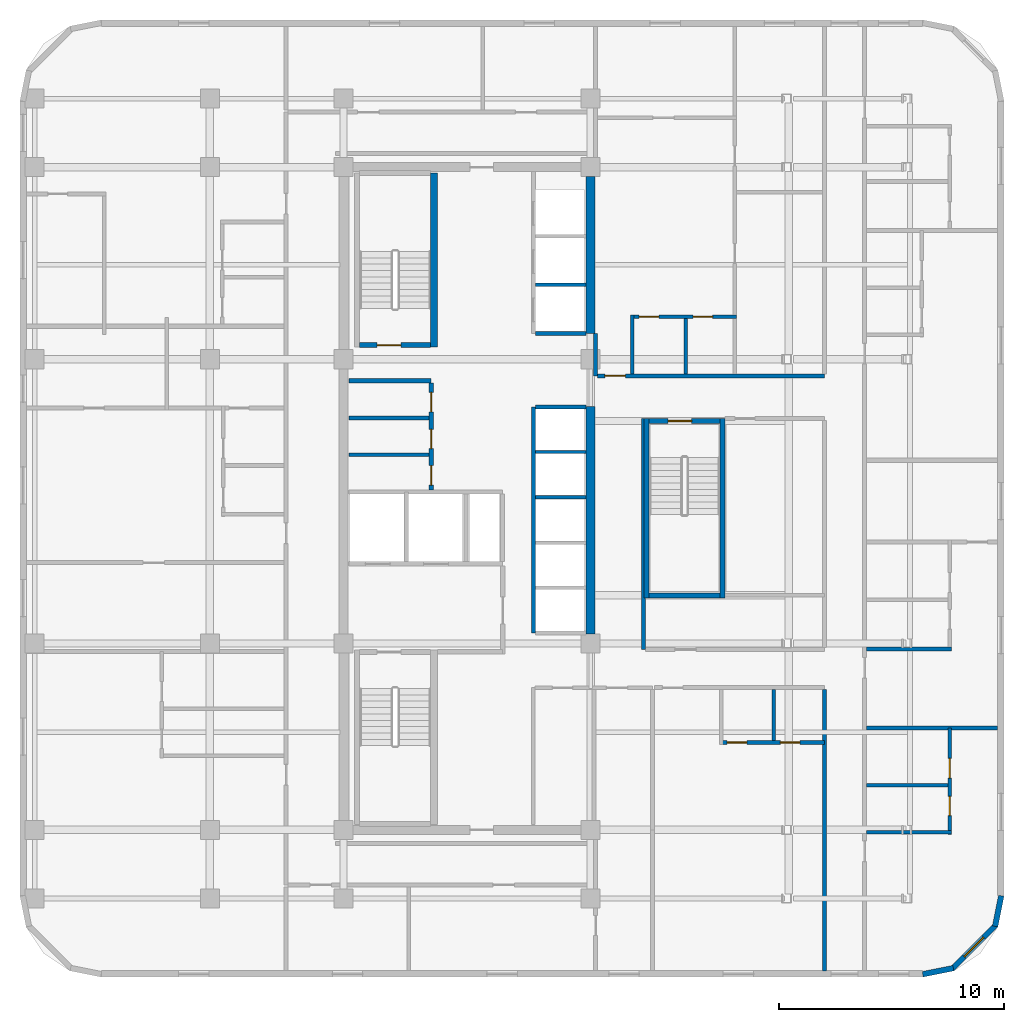
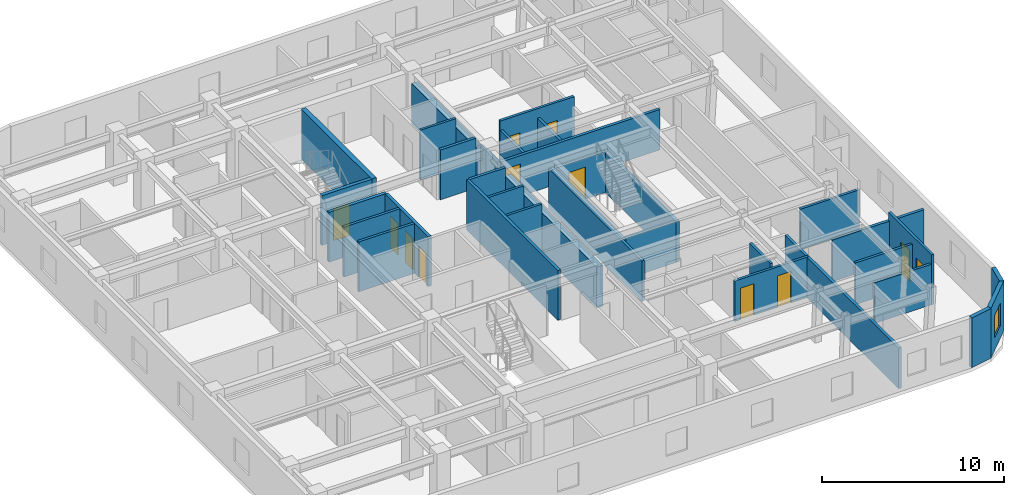
# One storey, part 5 of 9: 35 walls, 12 doors, 1 window, 13 openings.
"""IFC4 building model written with IfcOpenShell, lengths in metres."""

from ifc_helpers import new_model, si_unit, direction, frame, frame_2d, origin, place, context, subcontext, project, spatial, rectangle, extrude, material, layer, layer_set, type_object, element, fill, save


model = new_model("IFC4")

# Units and contexts
model_context = context("Model", 3, precision=1e-05, world=origin(), true_north=direction((0.0, 1.0)))
body_context = subcontext(model_context, "Body", "Model", "MODEL_VIEW")
ifc_project = project(units=[si_unit("LENGTHUNIT", "METRE"), si_unit("AREAUNIT", "SQUARE_METRE"), si_unit("VOLUMEUNIT", "CUBIC_METRE"), si_unit("PLANEANGLEUNIT", "RADIAN"), si_unit("MASSUNIT", "GRAM", prefix="KILO")], contexts=[model_context])

# Site, building, storey
site_placement = place(None, origin())
site = spatial("IfcSite", under=ifc_project, at=site_placement, CompositionType="ELEMENT")
building_placement = place(site_placement, origin())
building = spatial("IfcBuilding", under=site, at=building_placement, Name="Ochreholt Gables", CompositionType="ELEMENT")
storey_placement = place(building_placement, frame((0.0, 0.0, 113.39990234375)))
storey = spatial("IfcBuildingStorey", under=building, at=storey_placement, Name="L29", CompositionType="ELEMENT", Elevation=113.39990234375)

# Walls
ifc_material_1 = material(Name="Concrete 60 MPa", Category="concrete")
ifc_layer_1 = layer(ifc_material_1, 0.39990234375, Name="Concrete 60 MPa")
ifc_layer_set_1 = layer_set([ifc_layer_1], Name="Concrete 60 MPa")
wall_type_1 = type_object("IfcWallType", Name="WALL-CSW-400", PredefinedType="SHEAR", material=ifc_layer_set_1)
wall_1_placement = place(storey_placement, frame((35.199951171875, 17.97509765625, 0.0), z_axis=(0.0, 0.0, 1.0), x_axis=(0.0, 1.0, 0.0)))
element("IfcWall", 1, at=wall_1_placement, inside=storey, type_object=wall_type_1, Name="L29 Core Central-East Shear Wall", PredefinedType="SHEAR", context=body_context, shape_type="SweptSolid", body=[
    extrude(rectangle(XDim=10.125, YDim=0.39990234375, at=frame_2d((5.0625, 0.0))), origin(), (0.0, 0.0, 1.0), 2.739013671875),
])
wall_2_placement = place(storey_placement, frame((35.199951171875, 31.35009765625, 0.0), z_axis=(0.0, 0.0, 1.0), x_axis=(0.0, 1.0, 0.0)))
element("IfcWall", 2, at=wall_2_placement, inside=storey, type_object=wall_type_1, Name="L29 Core North-East Shear Wall", PredefinedType="SHEAR", context=body_context, shape_type="SweptSolid", body=[
    extrude(rectangle(XDim=6.974853515625, YDim=0.39990234375, at=frame_2d((3.4873046875, 0.0))), origin(), (0.0, 0.0, 1.0), 2.739013671875),
])
ifc_material_2 = material(Name="Precast concrete 40 MPa", Category="concrete")
ifc_layer_2 = layer(ifc_material_2, 0.25, Name="Precast concrete 40 MPa")
ifc_layer_set_2 = layer_set([ifc_layer_2], Name="Precast concrete 40 MPa")
wall_type_2 = type_object("IfcWallType", Name="WALL-EXT-CNR", PredefinedType="SOLIDWALL", material=ifc_layer_set_2)
wall_3_placement = place(storey_placement, frame((49.9833984375, 2.82421875, 0.0), z_axis=(0.0, 0.0, 1.0), x_axis=(0.980809899341, 0.19496651342, 0.0)))
element("IfcWall", 3, at=wall_3_placement, inside=storey, type_object=wall_type_2, Name="L29 Rounded Corner Wall SE-1", PredefinedType="SOLIDWALL", context=body_context, shape_type="SweptSolid", body=[
    extrude(rectangle(XDim=1.388671875, YDim=0.25, at=frame_2d((0.6943359375, 0.0))), origin(), (0.0, 0.0, 1.0), 3.35009765625),
])

# Wall, opening, window
wall_4_placement = place(storey_placement, frame((51.294921875, 3.068115234375, 0.0), z_axis=(0.0, 0.0, 1.0), x_axis=(0.707151344399, 0.707062215165, 0.0)))
wall_4 = element("IfcWall", 4, at=wall_4_placement, inside=storey, type_object=wall_type_2, Name="L29 Rounded Corner Wall SE-2", PredefinedType="SOLIDWALL", context=body_context, shape_type="SweptSolid", body=[
    extrude(rectangle(XDim=2.7392578125, YDim=0.25, at=frame_2d((1.36962890625, 0.0))), origin(), (0.0, 0.0, 1.0), 3.35009765625),
])
opening_1_placement = place(wall_4_placement, frame((0.769775390625, 0.0, 0.85009765625)))
opening_1 = element("IfcOpeningElement", 5, at=opening_1_placement, cuts=wall_4, Name="Opening WN-3", PredefinedType="OPENING", context=body_context, shape_type="SweptSolid", body=[
    extrude(rectangle(XDim=1.199951171875, YDim=1.5, at=frame_2d((0.60009765625, 0.75))), frame((0.0, 0.135009765625, 0.0), z_axis=(0.0, -1.0, 0.0), x_axis=(1.0, 0.0, 0.0)), (0.0, 0.0, 1.0), 0.27001953125),
])
ifc_material_3 = material(Name="Triple-Glazed Thermally Broken Aluminium Window", Category="aluminium")
window_type = type_object("IfcWindowType", Name="WIN-RES-1200", PartitioningType="SINGLE_PANEL", PredefinedType="WINDOW", material=ifc_material_3)
window_placement = place(opening_1_placement, origin())
window = element("IfcWindow", 6, at=window_placement, inside=storey, type_object=window_type, Name="L29 Corner Bedroom Window SE", OverallHeight=1.5, OverallWidth=1.199951171875, PartitioningType="SINGLE_PANEL", PredefinedType="WINDOW", context=body_context, shape_type="SweptSolid", body=[
    extrude(rectangle(XDim=1.199951171875, YDim=1.5, at=frame_2d((0.60009765625, 0.75))), frame((0.0, 0.030029296875, 0.0), z_axis=(0.0, -1.0, 0.0), x_axis=(1.0, 0.0, 0.0)), (0.0, 0.0, 1.0), 0.06005859375),
])
fill(opening_1, window)

# Walls
wall_5_placement = place(storey_placement, frame((53.205078125, 4.95458984375, 0.0), z_axis=(0.0, 0.0, 1.0), x_axis=(0.195000137217, 0.980803214965, 0.0)))
element("IfcWall", 7, at=wall_5_placement, inside=storey, type_object=wall_type_2, Name="L29 Rounded Corner Wall SE-3", PredefinedType="SOLIDWALL", context=body_context, shape_type="SweptSolid", body=[
    extrude(rectangle(XDim=1.388427734375, YDim=0.25, at=frame_2d((0.6943359375, 0.0))), origin(), (0.0, 0.0, 1.0), 3.35009765625),
])
ifc_material_4 = material(Name="Concrete 40 MPa", Category="concrete")
ifc_layer_3 = layer(ifc_material_4, 0.199951171875, Name="Concrete 40 MPa")
ifc_layer_set_3 = layer_set([ifc_layer_3], Name="Concrete 40 MPa")
wall_type_3 = type_object("IfcWallType", Name="WALL-INT-CF200", PredefinedType="STANDARD", material=ifc_layer_set_3)
wall_6_placement = place(storey_placement, frame((24.449951171875, 29.239990234375, 0.0), z_axis=(0.0, 0.0, 1.0), x_axis=(1.0, 0.0, 0.0)))
element("IfcWall", 8, at=wall_6_placement, inside=storey, type_object=wall_type_3, Name="L29 Interior Wall WI-SRVN-L29", PredefinedType="STANDARD", context=body_context, shape_type="SweptSolid", body=[
    extrude(rectangle(XDim=3.650146484375, YDim=0.199951171875, at=frame_2d((1.8251953125, 0.0))), origin(), (0.0, 0.0, 1.0), 3.35009765625),
])

# Wall, openings, doors
wall_7_placement = place(storey_placement, frame((28.10009765625, 24.389892578125, 0.0), z_axis=(0.0, 0.0, 1.0), x_axis=(0.0, 1.0, 0.0)))
wall_7 = element("IfcWall", 9, at=wall_7_placement, inside=storey, type_object=wall_type_3, Name="L29 Interior Wall WI-SRVE-L29", PredefinedType="STANDARD", context=body_context, shape_type="SweptSolid", body=[
    extrude(rectangle(XDim=4.75, YDim=0.199951171875, at=frame_2d((2.375, 0.0))), origin(), (0.0, 0.0, 1.0), 3.35009765625),
])
opening_2_placement = place(wall_7_placement, frame((0.2099609375, 0.0, 0.0)))
opening_2 = element("IfcOpeningElement", 10, at=opening_2_placement, cuts=wall_7, Name="Opening D-SV2", PredefinedType="OPENING", context=body_context, shape_type="SweptSolid", body=[
    extrude(rectangle(XDim=0.860107421875, YDim=2.10009765625, at=frame_2d((0.43017578125, 1.050048828125))), frame((0.0, 0.10986328125, 0.0), z_axis=(0.0, -1.0, 0.0), x_axis=(1.0, 0.0, 0.0)), (0.0, 0.0, 1.0), 0.219970703125),
])
opening_3_placement = place(wall_7_placement, frame((1.830078125, 0.0, 0.0)))
opening_3 = element("IfcOpeningElement", 11, at=opening_3_placement, cuts=wall_7, Name="Opening D-SV2", PredefinedType="OPENING", context=body_context, shape_type="SweptSolid", body=[
    extrude(rectangle(XDim=0.860107421875, YDim=2.10009765625, at=frame_2d((0.43017578125, 1.050048828125))), frame((0.0, 0.10986328125, 0.0), z_axis=(0.0, -1.0, 0.0), x_axis=(1.0, 0.0, 0.0)), (0.0, 0.0, 1.0), 0.219970703125),
])
opening_4_placement = place(wall_7_placement, frame((3.469970703125, 0.0, 0.0)))
opening_4 = element("IfcOpeningElement", 12, at=opening_4_placement, cuts=wall_7, Name="Opening D-SV2", PredefinedType="OPENING", context=body_context, shape_type="SweptSolid", body=[
    extrude(rectangle(XDim=0.860107421875, YDim=2.10009765625, at=frame_2d((0.43017578125, 1.050048828125))), frame((0.0, 0.10986328125, 0.0), z_axis=(0.0, -1.0, 0.0), x_axis=(1.0, 0.0, 0.0)), (0.0, 0.0, 1.0), 0.219970703125),
])
ifc_material_5 = material(Name="Hollow Metal Steel", Category="steel")
door_type_1 = type_object("IfcDoorType", Name="DR-INT-SRV860", OperationType="NOTDEFINED", PredefinedType="DOOR", material=ifc_material_5)
door_1_placement = place(opening_2_placement, origin())
door_1 = element("IfcDoor", 13, at=door_1_placement, inside=storey, type_object=door_type_1, Name="L29 Door D-SRV1-L29", OperationType="SINGLE_SWING_LEFT", OverallHeight=2.10009765625, OverallWidth=0.860107421875, PredefinedType="DOOR", context=body_context, shape_type="SweptSolid", body=[
    extrude(rectangle(XDim=0.860107421875, YDim=2.10009765625, at=frame_2d((0.43017578125, 1.050048828125))), frame((0.0, 0.02490234375, 0.0), z_axis=(0.0, -1.0, 0.0), x_axis=(1.0, 0.0, 0.0)), (0.0, 0.0, 1.0), 0.050048828125),
])
fill(opening_2, door_1)
door_2_placement = place(opening_3_placement, origin())
door_2 = element("IfcDoor", 14, at=door_2_placement, inside=storey, type_object=door_type_1, Name="L29 Door D-SRV2-L29", OperationType="SINGLE_SWING_RIGHT", OverallHeight=2.10009765625, OverallWidth=0.860107421875, PredefinedType="DOOR", context=body_context, shape_type="SweptSolid", body=[
    extrude(rectangle(XDim=0.860107421875, YDim=2.10009765625, at=frame_2d((0.43017578125, 1.050048828125))), frame((0.0, 0.02490234375, 0.0), z_axis=(0.0, -1.0, 0.0), x_axis=(1.0, 0.0, 0.0)), (0.0, 0.0, 1.0), 0.050048828125),
])
fill(opening_3, door_2)
door_3_placement = place(opening_4_placement, origin())
door_3 = element("IfcDoor", 15, at=door_3_placement, inside=storey, type_object=door_type_1, Name="L29 Door D-SRV3-L29", OperationType="SINGLE_SWING_LEFT", OverallHeight=2.10009765625, OverallWidth=0.860107421875, PredefinedType="DOOR", context=body_context, shape_type="SweptSolid", body=[
    extrude(rectangle(XDim=0.860107421875, YDim=2.10009765625, at=frame_2d((0.43017578125, 1.050048828125))), frame((0.0, 0.02490234375, 0.0), z_axis=(0.0, -1.0, 0.0), x_axis=(1.0, 0.0, 0.0)), (0.0, 0.0, 1.0), 0.050048828125),
])
fill(opening_4, door_3)

# Walls
ifc_material_6 = material(Name="Fire-Rated Gypsum Acoustic Partition", Category="gypsum")
ifc_layer_4 = layer(ifc_material_6, 0.179931640625, Name="Fire-Rated Gypsum Acoustic Partition")
ifc_layer_set_4 = layer_set([ifc_layer_4], Name="Fire-Rated Gypsum Acoustic Partition")
wall_type_4 = type_object("IfcWallType", Name="WALL-INT-CR180", PredefinedType="STANDARD", material=ifc_layer_set_4)
wall_8_placement = place(storey_placement, frame((37.550048828125, 17.280029296875, 0.0), z_axis=(0.0, 0.0, 1.0), x_axis=(0.0, 1.0, 0.0)))
element("IfcWall", 16, at=wall_8_placement, inside=storey, type_object=wall_type_4, Name="L29 Interior Wall WI-C2EM-L29", PredefinedType="STANDARD", context=body_context, shape_type="SweptSolid", body=[
    extrude(rectangle(XDim=10.280029296875, YDim=0.179931640625, at=frame_2d((5.14013671875, 0.0))), origin(), (0.0, 0.0, 1.0), 2.72119140625),
])
wall_9_placement = place(storey_placement, frame((35.419921875, 29.4599609375, 0.0), z_axis=(0.0, 0.0, 1.0), x_axis=(0.0, 1.0, 0.0)))
element("IfcWall", 17, at=wall_9_placement, inside=storey, type_object=wall_type_4, Name="L29 Interior Wall WI-C2NCL-L29", PredefinedType="STANDARD", context=body_context, shape_type="SweptSolid", body=[
    extrude(rectangle(XDim=1.89013671875, YDim=0.179931640625, at=frame_2d((0.945068359375, 0.0))), origin(), (0.0, 0.0, 1.0), 2.72119140625),
])

# Wall, opening, door
wall_10_placement = place(storey_placement, frame((35.510009765625, 29.4599609375, 0.0), z_axis=(0.0, 0.0, 1.0), x_axis=(1.0, 0.0, 0.0)))
wall_10 = element("IfcWall", 18, at=wall_10_placement, inside=storey, type_object=wall_type_4, Name="L29 Interior Wall WI-C2SN2-L29", PredefinedType="STANDARD", context=body_context, shape_type="SweptSolid", body=[
    extrude(rectangle(XDim=10.090087890625, YDim=0.179931640625, at=frame_2d((5.044921875, 0.0))), origin(), (0.0, 0.0, 1.0), 2.72119140625),
])
opening_5_placement = place(wall_10_placement, frame((0.320068359375, 0.0, 0.0)))
opening_5 = element("IfcOpeningElement", 19, at=opening_5_placement, cuts=wall_10, Name="Opening D-UN1", PredefinedType="OPENING", context=body_context, shape_type="SweptSolid", body=[
    extrude(rectangle(XDim=0.919921875, YDim=2.14990234375, at=frame_2d((0.4599609375, 1.074951171875))), frame((0.0, 0.099853515625, 0.0), z_axis=(0.0, -1.0, 0.0), x_axis=(1.0, 0.0, 0.0)), (0.0, 0.0, 1.0), 0.199951171875),
])
ifc_material_7 = material(Name="Engineered Oak Timber", Category="wood")
door_type_2 = type_object("IfcDoorType", Name="DR-INT-UNT920", OperationType="NOTDEFINED", PredefinedType="DOOR", material=ifc_material_7)
door_4_placement = place(opening_5_placement, origin())
door_4 = element("IfcDoor", 20, at=door_4_placement, inside=storey, type_object=door_type_2, Name="L29 Door D-U-L29N1-ENT", OperationType="SINGLE_SWING_LEFT", OverallHeight=2.14990234375, OverallWidth=0.919921875, PredefinedType="DOOR", context=body_context, shape_type="SweptSolid", body=[
    extrude(rectangle(XDim=0.919921875, YDim=2.14990234375, at=frame_2d((0.4599609375, 1.074951171875))), frame((0.0, 0.02490234375, 0.0), z_axis=(0.0, -1.0, 0.0), x_axis=(1.0, 0.0, 0.0)), (0.0, 0.0, 1.0), 0.050048828125),
])
fill(opening_5, door_4)

# Walls
wall_11_placement = place(storey_placement, frame((45.60009765625, 2.97998046875, 0.0), z_axis=(0.0, 0.0, 1.0), x_axis=(0.0, 1.0, 0.0)))
element("IfcWall", 21, at=wall_11_placement, inside=storey, type_object=wall_type_4, Name="L29 Interior Wall WI-C2FEGW1-L29", PredefinedType="STANDARD", context=body_context, shape_type="SweptSolid", body=[
    extrude(rectangle(XDim=12.510009765625, YDim=0.179931640625, at=frame_2d((6.2548828125, 0.0))), origin(), (0.0, 0.0, 1.0), 2.72119140625),
])
ifc_material_8 = material(Name="Double-Stud Acoustic Demising Wall", Category="gypsum")
ifc_layer_5 = layer(ifc_material_8, 0.179931640625, Name="Double-Stud Acoustic Demising Wall")
ifc_layer_set_5 = layer_set([ifc_layer_5], Name="Double-Stud Acoustic Demising Wall")
wall_type_5 = type_object("IfcWallType", Name="WALL-INT-DM180", PredefinedType="PARTITIONING", material=ifc_layer_set_5)
wall_12_placement = place(storey_placement, frame((47.489990234375, 13.77587890625, 0.0), z_axis=(0.0, 0.0, 1.0), x_axis=(1.0, 0.0, 0.0)))
element("IfcWall", 22, at=wall_12_placement, inside=storey, type_object=wall_type_5, Name="L29 Interior Wall WI-C2FED2-L29", PredefinedType="PARTITIONING", context=body_context, shape_type="SweptSolid", body=[
    extrude(rectangle(XDim=5.830078125, YDim=0.179931640625, at=frame_2d((2.9150390625, 0.0))), origin(), (0.0, 0.0, 1.0), 2.799072265625),
])

# Wall, openings, doors
ifc_material_9 = material(Name="Moisture-Resistant Plumbing Chase Wall", Category="gypsum")
ifc_layer_6 = layer(ifc_material_9, 0.159912109375, Name="Moisture-Resistant Plumbing Chase Wall")
ifc_layer_set_6 = layer_set([ifc_layer_6], Name="Moisture-Resistant Plumbing Chase Wall")
wall_type_6 = type_object("IfcWallType", Name="WALL-INT-PL160", PredefinedType="PLUMBINGWALL", material=ifc_layer_set_6)
wall_13_placement = place(storey_placement, frame((40.929931640625, 13.139892578125, 0.0), z_axis=(0.0, 0.0, 1.0), x_axis=(1.0, 0.0, 0.0)))
wall_13 = element("IfcWall", 23, at=wall_13_placement, inside=storey, type_object=wall_type_6, Name="L29 Interior Wall WU-L29S1-WY", PredefinedType="PLUMBINGWALL", context=body_context, shape_type="SweptSolid", body=[
    extrude(rectangle(XDim=4.670166015625, YDim=0.159912109375, at=frame_2d((2.3349609375, 0.0))), origin(), (0.0, 0.0, 1.0), 2.72119140625),
])
opening_6_placement = place(wall_13_placement, frame((0.35009765625, 0.0, 0.0)))
opening_6 = element("IfcOpeningElement", 24, at=opening_6_placement, cuts=wall_13, Name="Opening D-GN2", PredefinedType="OPENING", context=body_context, shape_type="SweptSolid", body=[
    extrude(rectangle(XDim=0.8798828125, YDim=2.1201171875, at=frame_2d((0.43994140625, 1.06005859375))), frame((0.0, 0.08984375, 0.0), z_axis=(0.0, -1.0, 0.0), x_axis=(1.0, 0.0, 0.0)), (0.0, 0.0, 1.0), 0.179931640625),
])
opening_7_placement = place(wall_13_placement, frame((2.719970703125, 0.0, 0.0)))
opening_7 = element("IfcOpeningElement", 25, at=opening_7_placement, cuts=wall_13, Name="Opening D-BT1", PredefinedType="OPENING", context=body_context, shape_type="SweptSolid", body=[
    extrude(rectangle(XDim=0.860107421875, YDim=2.1201171875, at=frame_2d((0.43017578125, 1.06005859375))), frame((0.0, 0.08984375, 0.0), z_axis=(0.0, -1.0, 0.0), x_axis=(1.0, 0.0, 0.0)), (0.0, 0.0, 1.0), 0.179931640625),
])
door_type_3 = type_object("IfcDoorType", Name="DR-INT-BTH860", OperationType="NOTDEFINED", PredefinedType="DOOR", material=ifc_material_7)
door_5_placement = place(opening_7_placement, origin())
door_5 = element("IfcDoor", 26, at=door_5_placement, inside=storey, type_object=door_type_3, Name="L29 Door D-U-L29S1-BTH", OperationType="SINGLE_SWING_RIGHT", OverallHeight=2.1201171875, OverallWidth=0.860107421875, PredefinedType="DOOR", context=body_context, shape_type="SweptSolid", body=[
    extrude(rectangle(XDim=0.860107421875, YDim=2.1201171875, at=frame_2d((0.43017578125, 1.06005859375))), frame((0.0, 0.02490234375, 0.0), z_axis=(0.0, -1.0, 0.0), x_axis=(1.0, 0.0, 0.0)), (0.0, 0.0, 1.0), 0.050048828125),
])
fill(opening_7, door_5)
door_type_4 = type_object("IfcDoorType", Name="DR-INT-GEN880", OperationType="NOTDEFINED", PredefinedType="DOOR", material=ifc_material_7)
door_6_placement = place(opening_6_placement, origin())
door_6 = element("IfcDoor", 27, at=door_6_placement, inside=storey, type_object=door_type_4, Name="L29 Door D-U-L29S1-KIT", OperationType="SINGLE_SWING_LEFT", OverallHeight=2.1201171875, OverallWidth=0.8798828125, PredefinedType="DOOR", context=body_context, shape_type="SweptSolid", body=[
    extrude(rectangle(XDim=0.8798828125, YDim=2.1201171875, at=frame_2d((0.43994140625, 1.06005859375))), frame((0.0, 0.02490234375, 0.0), z_axis=(0.0, -1.0, 0.0), x_axis=(1.0, 0.0, 0.0)), (0.0, 0.0, 1.0), 0.050048828125),
])
fill(opening_6, door_6)

# Wall
wall_14_placement = place(storey_placement, frame((43.35009765625, 13.219970703125, 0.0), z_axis=(0.0, 0.0, 1.0), x_axis=(0.0, 1.0, 0.0)))
element("IfcWall", 28, at=wall_14_placement, inside=storey, type_object=wall_type_6, Name="L29 Interior Wall WU-L29S1-WK", PredefinedType="PLUMBINGWALL", context=body_context, shape_type="SweptSolid", body=[
    extrude(rectangle(XDim=2.27001953125, YDim=0.159912109375, at=frame_2d((1.135009765625, 0.0))), origin(), (0.0, 0.0, 1.0), 2.97802734375),
])

# Wall, openings, doors
wall_15_placement = place(storey_placement, frame((36.97998046875, 32.094970703125, 0.0), z_axis=(0.0, 0.0, 1.0), x_axis=(1.0, 0.0, 0.0)))
wall_15 = element("IfcWall", 29, at=wall_15_placement, inside=storey, type_object=wall_type_6, Name="L29 Interior Wall WU-L29N1-WY", PredefinedType="PLUMBINGWALL", context=body_context, shape_type="SweptSolid", body=[
    extrude(rectangle(XDim=4.7099609375, YDim=0.159912109375, at=frame_2d((2.35498046875, 0.0))), origin(), (0.0, 0.0, 1.0), 3.35009765625),
])
opening_8_placement = place(wall_15_placement, frame((0.3798828125, 0.0, 0.0)))
opening_8 = element("IfcOpeningElement", 30, at=opening_8_placement, cuts=wall_15, Name="Opening D-GN2", PredefinedType="OPENING", context=body_context, shape_type="SweptSolid", body=[
    extrude(rectangle(XDim=0.8798828125, YDim=2.1201171875, at=frame_2d((0.43994140625, 1.06005859375))), frame((0.0, 0.08984375, 0.0), z_axis=(0.0, -1.0, 0.0), x_axis=(1.0, 0.0, 0.0)), (0.0, 0.0, 1.0), 0.179931640625),
])
opening_9_placement = place(wall_15_placement, frame((2.785888671875, 0.0, 0.0)))
opening_9 = element("IfcOpeningElement", 31, at=opening_9_placement, cuts=wall_15, Name="Opening D-BT1", PredefinedType="OPENING", context=body_context, shape_type="SweptSolid", body=[
    extrude(rectangle(XDim=0.860107421875, YDim=2.1201171875, at=frame_2d((0.43017578125, 1.06005859375))), frame((0.0, 0.08984375, 0.0), z_axis=(0.0, -1.0, 0.0), x_axis=(1.0, 0.0, 0.0)), (0.0, 0.0, 1.0), 0.179931640625),
])
door_7_placement = place(opening_9_placement, origin())
door_7 = element("IfcDoor", 32, at=door_7_placement, inside=storey, type_object=door_type_3, Name="L29 Door D-U-L29N1-BTH", OperationType="SINGLE_SWING_LEFT", OverallHeight=2.1201171875, OverallWidth=0.860107421875, PredefinedType="DOOR", context=body_context, shape_type="SweptSolid", body=[
    extrude(rectangle(XDim=0.860107421875, YDim=2.1201171875, at=frame_2d((0.43017578125, 1.06005859375))), frame((0.0, 0.02490234375, 0.0), z_axis=(0.0, -1.0, 0.0), x_axis=(1.0, 0.0, 0.0)), (0.0, 0.0, 1.0), 0.050048828125),
])
fill(opening_9, door_7)
door_8_placement = place(opening_8_placement, origin())
door_8 = element("IfcDoor", 33, at=door_8_placement, inside=storey, type_object=door_type_4, Name="L29 Door D-U-L29N1-KIT", OperationType="SINGLE_SWING_RIGHT", OverallHeight=2.1201171875, OverallWidth=0.8798828125, PredefinedType="DOOR", context=body_context, shape_type="SweptSolid", body=[
    extrude(rectangle(XDim=0.8798828125, YDim=2.1201171875, at=frame_2d((0.43994140625, 1.06005859375))), frame((0.0, 0.02490234375, 0.0), z_axis=(0.0, -1.0, 0.0), x_axis=(1.0, 0.0, 0.0)), (0.0, 0.0, 1.0), 0.050048828125),
])
fill(opening_8, door_8)

# Walls
wall_16_placement = place(storey_placement, frame((37.06005859375, 29.550048828125, 0.0), z_axis=(0.0, 0.0, 1.0), x_axis=(0.0, 1.0, 0.0)))
element("IfcWall", 34, at=wall_16_placement, inside=storey, type_object=wall_type_6, Name="L29 Interior Wall WU-L29N1-FY", PredefinedType="PLUMBINGWALL", context=body_context, shape_type="SweptSolid", body=[
    extrude(rectangle(XDim=2.625, YDim=0.159912109375, at=frame_2d((1.3125, 0.0))), origin(), (0.0, 0.0, 1.0), 2.72119140625),
])
wall_17_placement = place(storey_placement, frame((39.426025390625, 29.550048828125, 0.0), z_axis=(0.0, 0.0, 1.0), x_axis=(0.0, 1.0, 0.0)))
element("IfcWall", 35, at=wall_17_placement, inside=storey, type_object=wall_type_6, Name="L29 Interior Wall WU-L29N1-WK", PredefinedType="PLUMBINGWALL", context=body_context, shape_type="SweptSolid", body=[
    extrude(rectangle(XDim=2.46484375, YDim=0.159912109375, at=frame_2d((1.232421875, 0.0))), origin(), (0.0, 0.0, 1.0), 2.72119140625),
])
wall_18_placement = place(storey_placement, frame((47.489990234375, 9.135986328125, 0.0), z_axis=(0.0, 0.0, 1.0), x_axis=(1.0, 0.0, 0.0)))
element("IfcWall", 36, at=wall_18_placement, inside=storey, type_object=wall_type_6, Name="L29 Interior Wall WU-L29FE1-WYS", PredefinedType="PLUMBINGWALL", context=body_context, shape_type="SweptSolid", body=[
    extrude(rectangle(XDim=3.775146484375, YDim=0.159912109375, at=frame_2d((1.8876953125, 0.0))), origin(), (0.0, 0.0, 1.0), 2.72119140625),
])

# Wall, openings, doors
wall_19_placement = place(storey_placement, frame((51.185302734375, 9.0458984375, 0.0), z_axis=(0.0, 0.0, 1.0), x_axis=(0.0, 1.0, 0.0)))
wall_19 = element("IfcWall", 37, at=wall_19_placement, inside=storey, type_object=wall_type_6, Name="L29 Interior Wall WU-L29FE1-WX", PredefinedType="PLUMBINGWALL", context=body_context, shape_type="SweptSolid", body=[
    extrude(rectangle(XDim=4.72998046875, YDim=0.159912109375, at=frame_2d((2.364990234375, 0.0))), origin(), (0.0, 0.0, 1.0), 3.35009765625),
])
opening_10_placement = place(wall_19_placement, frame((0.840087890625, 0.0, 0.0)))
opening_10 = element("IfcOpeningElement", 38, at=opening_10_placement, cuts=wall_19, Name="Opening D-BT1", PredefinedType="OPENING", context=body_context, shape_type="SweptSolid", body=[
    extrude(rectangle(XDim=0.860107421875, YDim=2.1201171875, at=frame_2d((0.43017578125, 1.06005859375))), frame((0.0, 0.08984375, 0.0), z_axis=(0.0, -1.0, 0.0), x_axis=(1.0, 0.0, 0.0)), (0.0, 0.0, 1.0), 0.179931640625),
])
opening_11_placement = place(wall_19_placement, frame((2.512939453125, 0.0, 0.0)))
opening_11 = element("IfcOpeningElement", 39, at=opening_11_placement, cuts=wall_19, Name="Opening D-GN2", PredefinedType="OPENING", context=body_context, shape_type="SweptSolid", body=[
    extrude(rectangle(XDim=0.8798828125, YDim=2.1201171875, at=frame_2d((0.43994140625, 1.06005859375))), frame((0.0, 0.08984375, 0.0), z_axis=(0.0, -1.0, 0.0), x_axis=(1.0, 0.0, 0.0)), (0.0, 0.0, 1.0), 0.179931640625),
])
door_9_placement = place(opening_10_placement, origin())
door_9 = element("IfcDoor", 40, at=door_9_placement, inside=storey, type_object=door_type_3, Name="L29 Door D-U-L29FE1-BTH", OperationType="SINGLE_SWING_LEFT", OverallHeight=2.1201171875, OverallWidth=0.860107421875, PredefinedType="DOOR", context=body_context, shape_type="SweptSolid", body=[
    extrude(rectangle(XDim=0.860107421875, YDim=2.1201171875, at=frame_2d((0.43017578125, 1.06005859375))), frame((0.0, 0.02490234375, 0.0), z_axis=(0.0, -1.0, 0.0), x_axis=(1.0, 0.0, 0.0)), (0.0, 0.0, 1.0), 0.050048828125),
])
fill(opening_10, door_9)
door_10_placement = place(opening_11_placement, origin())
door_10 = element("IfcDoor", 41, at=door_10_placement, inside=storey, type_object=door_type_4, Name="L29 Door D-U-L29FE1-KIT", OperationType="SINGLE_SWING_RIGHT", OverallHeight=2.1201171875, OverallWidth=0.8798828125, PredefinedType="DOOR", context=body_context, shape_type="SweptSolid", body=[
    extrude(rectangle(XDim=0.8798828125, YDim=2.1201171875, at=frame_2d((0.43994140625, 1.06005859375))), frame((0.0, 0.02490234375, 0.0), z_axis=(0.0, -1.0, 0.0), x_axis=(1.0, 0.0, 0.0)), (0.0, 0.0, 1.0), 0.050048828125),
])
fill(opening_11, door_10)

# Walls
wall_20_placement = place(storey_placement, frame((47.489990234375, 11.22900390625, 0.0), z_axis=(0.0, 0.0, 1.0), x_axis=(1.0, 0.0, 0.0)))
element("IfcWall", 42, at=wall_20_placement, inside=storey, type_object=wall_type_6, Name="L29 Interior Wall WU-L29FE1-WM", PredefinedType="PLUMBINGWALL", context=body_context, shape_type="SweptSolid", body=[
    extrude(rectangle(XDim=3.615234375, YDim=0.159912109375, at=frame_2d((1.8076171875, 0.0))), origin(), (0.0, 0.0, 1.0), 2.799072265625),
])
wall_21_placement = place(storey_placement, frame((47.489990234375, 17.300048828125, 0.0), z_axis=(0.0, 0.0, 1.0), x_axis=(1.0, 0.0, 0.0)))
element("IfcWall", 43, at=wall_21_placement, inside=storey, type_object=wall_type_6, Name="L29 Interior Wall WU-L29FE2-FYS", PredefinedType="PLUMBINGWALL", context=body_context, shape_type="SweptSolid", body=[
    extrude(rectangle(XDim=3.775146484375, YDim=0.159912109375, at=frame_2d((1.8876953125, 0.0))), origin(), (0.0, 0.0, 1.0), 2.72119140625),
])
ifc_material_10 = material(Name="Gypsum Acoustic Stud Partition", Category="gypsum")
ifc_layer_7 = layer(ifc_material_10, 0.1650390625, Name="Gypsum Acoustic Stud Partition")
ifc_layer_set_7 = layer_set([ifc_layer_7], Name="Gypsum Acoustic Stud Partition")
wall_type_7 = type_object("IfcWallType", Name="WALL-INT-PT165", PredefinedType="PARTITIONING", material=ifc_layer_set_7)
for number, where, z_axis, x_axis, name in (
    (44, (24.449951171875, 25.949951171875, 0.0), (0.0, 0.0, 1.0), (1.0, 0.0, 0.0), "L29 Interior Wall WI-SRVP1-L29"),
    (45, (24.449951171875, 27.580078125, 0.0), (0.0, 0.0, 1.0), (1.0, 0.0, 0.0), "L29 Interior Wall WI-SRVP2-L29"),
):
    element("IfcWall", number, at=place(storey_placement, frame(where, z_axis=z_axis, x_axis=x_axis)), inside=storey, type_object=wall_type_7, Name=name, PredefinedType="PARTITIONING", context=body_context, shape_type="SweptSolid", body=[
        extrude(rectangle(XDim=3.550048828125, YDim=0.1650390625, at=frame_2d((1.77490234375, 0.0))), origin(), (0.0, 0.0, 1.0), 3.35009765625),
    ])
ifc_material_11 = material(Name="Gypsum Shaftliner and Steel Stud", Category="steel")
ifc_layer_8 = layer(ifc_material_11, 0.14990234375, Name="Gypsum Shaftliner and Steel Stud")
ifc_layer_set_8 = layer_set([ifc_layer_8], Name="Gypsum Shaftliner and Steel Stud")
wall_type_8 = type_object("IfcWallType", Name="WALL-INT-SH150", PredefinedType="STANDARD", material=ifc_layer_set_8)
for number, where, z_axis, x_axis, name in (
    (46, (32.739990234375, 24.050048828125, 0.0), (0.0, 0.0, 1.0), (1.0, 0.0, 0.0), "L29 Interior Wall WI-LFHE-DHE-L29"),
    (47, (32.739990234375, 26.070068359375, 0.0), (0.0, 0.0, 1.0), (1.0, 0.0, 0.0), "L29 Interior Wall WI-LFHE-DEX1-L29"),
    (48, (32.739990234375, 33.52001953125, 0.0), (0.0, 0.0, 1.0), (1.0, 0.0, 0.0), "L29 Interior Wall WI-LFM-D1-L29"),
):
    element("IfcWall", number, at=place(storey_placement, frame(where, z_axis=z_axis, x_axis=x_axis)), inside=storey, type_object=wall_type_8, Name=name, PredefinedType="STANDARD", context=body_context, shape_type="SweptSolid", body=[
        extrude(rectangle(XDim=2.260009765625, YDim=0.14990234375, at=frame_2d((1.1298828125, 0.0))), origin(), (0.0, 0.0, 1.0), 3.35009765625),
    ])
ifc_layer_9 = layer(ifc_material_11, 0.179931640625, Name="Gypsum Shaftliner and Steel Stud")
ifc_layer_set_9 = layer_set([ifc_layer_9], Name="Gypsum Shaftliner and Steel Stud")
wall_type_9 = type_object("IfcWallType", Name="WALL-INT-SH180", PredefinedType="STANDARD", material=ifc_layer_set_9)
wall_22_placement = place(storey_placement, frame((32.64990234375, 18.02001953125, 0.0), z_axis=(0.0, 0.0, 1.0), x_axis=(0.0, 1.0, 0.0)))
element("IfcWall", 49, at=wall_22_placement, inside=storey, type_object=wall_type_9, Name="L29 Interior Wall WI-LFHE-FR-L29", PredefinedType="STANDARD", context=body_context, shape_type="SweptSolid", body=[
    extrude(rectangle(XDim=10.06005859375, YDim=0.179931640625, at=frame_2d((5.030029296875, 0.0))), origin(), (0.0, 0.0, 1.0), 3.35009765625),
])
for number, where, z_axis, x_axis, name in (
    (50, (32.739990234375, 28.080078125, 0.0), (0.0, 0.0, 1.0), (1.0, 0.0, 0.0), "L29 Interior Wall WI-LFHE-N-L29"),
    (51, (32.739990234375, 31.35009765625, 0.0), (0.0, 0.0, 1.0), (1.0, 0.0, 0.0), "L29 Interior Wall WI-LFM-S-L29"),
):
    element("IfcWall", number, at=place(storey_placement, frame(where, z_axis=z_axis, x_axis=x_axis)), inside=storey, type_object=wall_type_9, Name=name, PredefinedType="STANDARD", context=body_context, shape_type="SweptSolid", body=[
        extrude(rectangle(XDim=2.260009765625, YDim=0.179931640625, at=frame_2d((1.1298828125, 0.0))), origin(), (0.0, 0.0, 1.0), 3.35009765625),
    ])
ifc_layer_10 = layer(ifc_material_1, 0.300048828125, Name="Concrete 60 MPa")
ifc_layer_set_10 = layer_set([ifc_layer_10], Name="Concrete 60 MPa")
wall_type_10 = type_object("IfcWallType", Name="WALL-SPN-300", PredefinedType="SHEAR", material=ifc_layer_set_10)
wall_23_placement = place(storey_placement, frame((28.22998046875, 30.739990234375, 0.0), z_axis=(0.0, 0.0, 1.0), x_axis=(0.0, 1.0, 0.0)))
element("IfcWall", 52, at=wall_23_placement, inside=storey, type_object=wall_type_10, Name="L29 Core North Spine Shear Wall", PredefinedType="SHEAR", context=body_context, shape_type="SweptSolid", body=[
    extrude(rectangle(XDim=7.760009765625, YDim=0.300048828125, at=frame_2d((3.8798828125, 0.0))), origin(), (0.0, 0.0, 1.0), 3.35009765625),
])

# Wall, opening, door
ifc_material_12 = material(Name="Concrete 50 MPa", Category="concrete")
ifc_layer_11 = layer(ifc_material_12, 0.219970703125, Name="Concrete 50 MPa")
ifc_layer_set_11 = layer_set([ifc_layer_11], Name="Concrete 50 MPa")
wall_type_11 = type_object("IfcWallType", Name="WALL-STW-220", PredefinedType="SHEAR", material=ifc_layer_set_11)
wall_24_placement = place(storey_placement, frame((24.919921875, 30.830078125, 0.0), z_axis=(0.0, 0.0, 1.0), x_axis=(1.0, 0.0, 0.0)))
wall_24 = element("IfcWall", 53, at=wall_24_placement, inside=storey, type_object=wall_type_11, Name="L29 Exit Stair 2 South Wall", PredefinedType="SHEAR", context=body_context, shape_type="SweptSolid", body=[
    extrude(rectangle(XDim=3.16015625, YDim=0.219970703125, at=frame_2d((1.580078125, 0.0))), origin(), (0.0, 0.0, 1.0), 3.35009765625),
])
opening_12_placement = place(wall_24_placement, frame((0.780029296875, 0.0, 0.0)))
opening_12 = element("IfcOpeningElement", 54, at=opening_12_placement, cuts=wall_24, Name="Opening D-STC", PredefinedType="OPENING", context=body_context, shape_type="SweptSolid", body=[
    extrude(rectangle(XDim=1.050048828125, YDim=2.14990234375, at=frame_2d((0.52490234375, 1.074951171875))), frame((0.0, 0.119873046875, 0.0), z_axis=(0.0, -1.0, 0.0), x_axis=(1.0, 0.0, 0.0)), (0.0, 0.0, 1.0), 0.239990234375),
])
door_type_5 = type_object("IfcDoorType", Name="DR-INT-ST1050", OperationType="NOTDEFINED", PredefinedType="DOOR", material=ifc_material_5)
door_11_placement = place(opening_12_placement, origin())
door_11 = element("IfcDoor", 55, at=door_11_placement, inside=storey, type_object=door_type_5, Name="L29 Door D-ST2-L29", OperationType="SINGLE_SWING_RIGHT", OverallHeight=2.14990234375, OverallWidth=1.050048828125, PredefinedType="DOOR", context=body_context, shape_type="SweptSolid", body=[
    extrude(rectangle(XDim=1.050048828125, YDim=2.14990234375, at=frame_2d((0.52490234375, 1.074951171875))), frame((0.0, 0.02490234375, 0.0), z_axis=(0.0, -1.0, 0.0), x_axis=(1.0, 0.0, 0.0)), (0.0, 0.0, 1.0), 0.050048828125),
])
fill(opening_12, door_11)

# Walls
for number, where, z_axis, x_axis, name in (
    (56, (37.68994140625, 19.580078125, 0.0), (0.0, 0.0, 1.0), (0.0, 1.0, 0.0), "L29 Feature Stair ST-C3 West Wall"),
    (57, (41.070068359375, 19.580078125, 0.0), (0.0, 0.0, 1.0), (0.0, 1.0, 0.0), "L29 Feature Stair ST-C3 East Wall"),
):
    element("IfcWall", number, at=place(storey_placement, frame(where, z_axis=z_axis, x_axis=x_axis)), inside=storey, type_object=wall_type_11, Name=name, PredefinedType="SHEAR", context=body_context, shape_type="SweptSolid", body=[
        extrude(rectangle(XDim=7.97998046875, YDim=0.219970703125, at=frame_2d((3.989990234375, 0.0))), origin(), (0.0, 0.0, 1.0), 2.739501953125),
    ])
wall_25_placement = place(storey_placement, frame((37.800048828125, 19.68994140625, 0.0), z_axis=(0.0, 0.0, 1.0), x_axis=(1.0, 0.0, 0.0)))
element("IfcWall", 58, at=wall_25_placement, inside=storey, type_object=wall_type_11, Name="L29 Feature Stair ST-C3 South Wall", PredefinedType="SHEAR", context=body_context, shape_type="SweptSolid", body=[
    extrude(rectangle(XDim=3.159912109375, YDim=0.219970703125, at=frame_2d((1.580078125, 0.0))), origin(), (0.0, 0.0, 1.0), 2.739501953125),
])

# Wall, opening, door
wall_26_placement = place(storey_placement, frame((37.800048828125, 27.449951171875, 0.0), z_axis=(0.0, 0.0, 1.0), x_axis=(1.0, 0.0, 0.0)))
wall_26 = element("IfcWall", 59, at=wall_26_placement, inside=storey, type_object=wall_type_11, Name="L29 Feature Stair ST-C3 North Wall", PredefinedType="SHEAR", context=body_context, shape_type="SweptSolid", body=[
    extrude(rectangle(XDim=3.159912109375, YDim=0.219970703125, at=frame_2d((1.580078125, 0.0))), origin(), (0.0, 0.0, 1.0), 2.739501953125),
])
opening_13_placement = place(wall_26_placement, frame((0.85009765625, 0.0, 0.0)))
opening_13 = element("IfcOpeningElement", 60, at=opening_13_placement, cuts=wall_26, Name="Opening D-STC", PredefinedType="OPENING", context=body_context, shape_type="SweptSolid", body=[
    extrude(rectangle(XDim=1.050048828125, YDim=2.14990234375, at=frame_2d((0.52490234375, 1.074951171875))), frame((0.0, 0.119873046875, 0.0), z_axis=(0.0, -1.0, 0.0), x_axis=(1.0, 0.0, 0.0)), (0.0, 0.0, 1.0), 0.239990234375),
])
door_12_placement = place(opening_13_placement, frame((1.050048828125, 0.0, 0.0), z_axis=(0.0, 0.0, 1.0), x_axis=(-1.0, 0.0, 0.0)))
door_12 = element("IfcDoor", 61, at=door_12_placement, inside=storey, type_object=door_type_5, Name="L29 Door D-FST-L29", OperationType="SINGLE_SWING_LEFT", OverallHeight=2.14990234375, OverallWidth=1.050048828125, PredefinedType="DOOR", context=body_context, shape_type="SweptSolid", body=[
    extrude(rectangle(XDim=1.050048828125, YDim=2.14990234375, at=frame_2d((0.52490234375, 1.074951171875))), frame((0.0, 0.02490234375, 0.0), z_axis=(0.0, -1.0, 0.0), x_axis=(1.0, 0.0, 0.0)), (0.0, 0.0, 1.0), 0.050048828125),
])
fill(opening_13, door_12)

save(model, "model.ifc")
